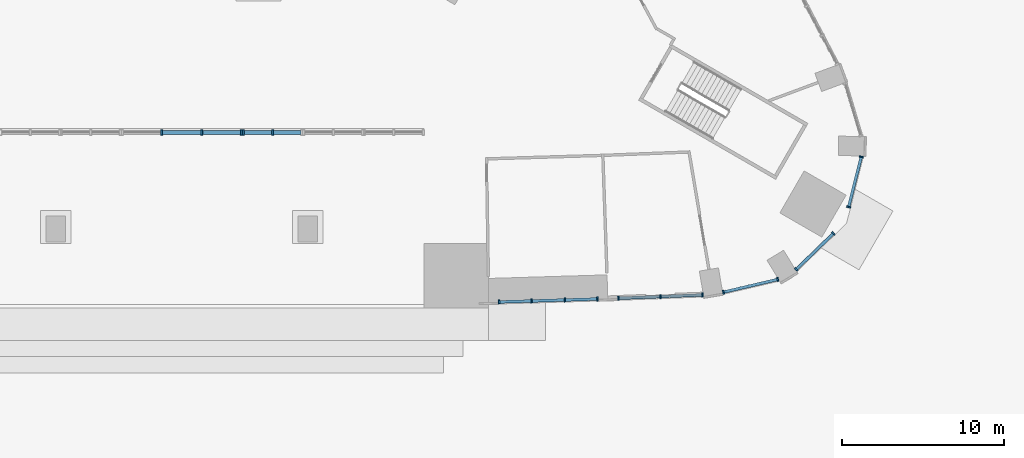
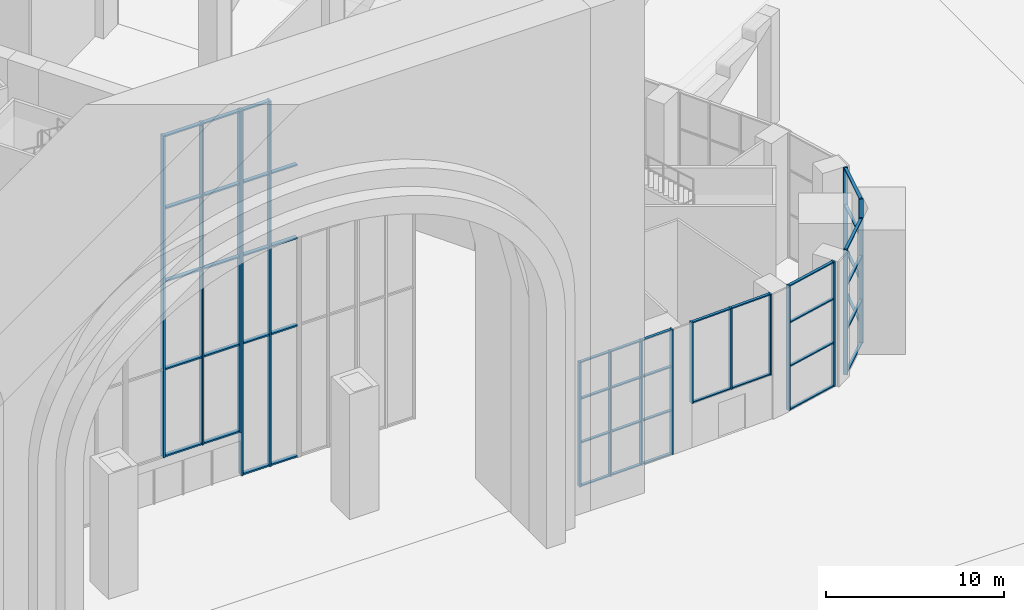
# One storey, part 5 of 36: 65 members, 7 elements without a shape of their own.
"""IFC4 building model written with IfcOpenShell, lengths in metres."""

from ifc_helpers import new_model, si_unit, direction, frame, origin, origin_2d, place, context, subcontext, project, spatial, rectangle, extrude, material, material_profile, profile_set, type_object, element, aggregate, save


model = new_model("IFC4")

# Units and contexts
model_context = context("Model", 3, precision=1e-05, world=origin(), true_north=direction((0.0, 1.0)))
body_context = subcontext(model_context, "Body", "Model", "MODEL_VIEW")
ifc_project = project(units=[si_unit("LENGTHUNIT", "METRE"), si_unit("AREAUNIT", "SQUARE_METRE"), si_unit("VOLUMEUNIT", "CUBIC_METRE"), si_unit("PLANEANGLEUNIT", "RADIAN"), si_unit("MASSUNIT", "GRAM", prefix="KILO")], contexts=[model_context])

# Site, building, storey
site_placement = place(None, origin())
site = spatial("IfcSite", under=ifc_project, at=site_placement, CompositionType="ELEMENT")
building_placement = place(site_placement, origin())
building = spatial("IfcBuilding", under=site, at=building_placement, Name="Entoto Arch Interchange Tower", CompositionType="ELEMENT")
storey_placement = place(building_placement, origin())
storey = spatial("IfcBuildingStorey", under=building, at=storey_placement, Name="L00", CompositionType="ELEMENT", Elevation=0.0)

# Curtain wall, members
ifc_material = material(Name="Aluminium, anodised", Category="aluminium")
curtain_wall_type_1 = type_object("IfcCurtainWallType", Name="CURTAIN WALL ARCH SCREEN", PredefinedType="NOTDEFINED", material=ifc_material)
curtain_wall_1_placement = place(storey_placement, origin())
curtain_wall_1 = element("IfcCurtainWall", 1, at=curtain_wall_1_placement, inside=storey, type_object=curtain_wall_type_1, Name="Arch screen glazing 6", PredefinedType="NOTDEFINED")
ifc_material_profile_1 = material_profile(ifc_material, rectangle(XDim=0.35009765625, YDim=0.1201171875, at=origin_2d()))
ifc_profile_set_1 = profile_set([ifc_material_profile_1], Name="Aluminium, anodised")
member_type_1 = type_object("IfcMemberType", Name="MULLION ARCH SCREEN 120x350", PredefinedType="MULLION", material=ifc_profile_set_1)
member_1_placement = place(storey_placement, frame((3.81005859375, -18.125, 0.0), z_axis=(0.0, 0.0, 1.0), x_axis=(0.0, 1.0, 0.0)))
member_1 = element("IfcMember", 2, at=member_1_placement, type_object=member_type_1, Name="CWR mullion 1", PredefinedType="MULLION", context=body_context, shape_type="SweptSolid", body=[
    extrude(rectangle(XDim=0.35009765625, YDim=0.1201171875, at=origin_2d()), origin(), (0.0, 0.0, 1.0), 25.0),
])
member_2_placement = place(storey_placement, frame((5.625, -18.125, 0.0), z_axis=(0.0, 0.0, 1.0), x_axis=(0.0, 1.0, 0.0)))
member_2 = element("IfcMember", 3, at=member_2_placement, type_object=member_type_1, Name="CWR mullion 2", PredefinedType="MULLION", context=body_context, shape_type="SweptSolid", body=[
    extrude(rectangle(XDim=0.35009765625, YDim=0.1201171875, at=origin_2d()), origin(), (0.0, 0.0, 1.0), 25.0),
])

curtain_wall_2_placement = place(storey_placement, origin())
curtain_wall_2 = element("IfcCurtainWall", 4, at=curtain_wall_2_placement, inside=storey, type_object=curtain_wall_type_1, Name="Arch entrance glazing", PredefinedType="NOTDEFINED")
member_3_placement = place(storey_placement, frame((-1.25, -18.125, 3.0), z_axis=(0.0, 0.0, 1.0), x_axis=(0.0, 1.0, 0.0)))
member_3 = element("IfcMember", 5, at=member_3_placement, type_object=member_type_1, Name="CWR mullion 2", PredefinedType="MULLION", context=body_context, shape_type="SweptSolid", body=[
    extrude(rectangle(XDim=0.35009765625, YDim=0.1201171875, at=origin_2d()), origin(), (0.0, 0.0, 1.0), 22.0),
])
member_4_placement = place(storey_placement, frame((1.25, -18.125, 3.0), z_axis=(0.0, 0.0, 1.0), x_axis=(0.0, 1.0, 0.0)))
member_4 = element("IfcMember", 6, at=member_4_placement, type_object=member_type_1, Name="CWR mullion 3", PredefinedType="MULLION", context=body_context, shape_type="SweptSolid", body=[
    extrude(rectangle(XDim=0.35009765625, YDim=0.1201171875, at=origin_2d()), origin(), (0.0, 0.0, 1.0), 22.0),
])
member_5_placement = place(storey_placement, frame((3.68994140625, -18.125, 3.0), z_axis=(0.0, 0.0, 1.0), x_axis=(0.0, 1.0, 0.0)))
member_5 = element("IfcMember", 7, at=member_5_placement, type_object=member_type_1, Name="CWR mullion 4", PredefinedType="MULLION", context=body_context, shape_type="SweptSolid", body=[
    extrude(rectangle(XDim=0.35009765625, YDim=0.1201171875, at=origin_2d()), origin(), (0.0, 0.0, 1.0), 22.0),
])

curtain_wall_type_2 = type_object("IfcCurtainWallType", Name="CURTAIN WALL GATE HALL", PredefinedType="NOTDEFINED", material=ifc_material)
curtain_wall_3_placement = place(storey_placement, origin())
curtain_wall_3 = element("IfcCurtainWall", 8, at=curtain_wall_3_placement, inside=storey, type_object=curtain_wall_type_2, Name="Gate Hall glazing S-04 L00", PredefinedType="NOTDEFINED")
ifc_material_profile_2 = material_profile(ifc_material, rectangle(XDim=0.25, YDim=0.10009765625, at=origin_2d()))
ifc_profile_set_2 = profile_set([ifc_material_profile_2], Name="Aluminium, anodised")
member_type_2 = type_object("IfcMemberType", Name="MULLION GATE HALL 100x250", PredefinedType="MULLION", material=ifc_profile_set_2)
member_6_placement = place(storey_placement, frame((19.64892578125, -28.617431640625, 0.0), z_axis=(0.0, 0.0, 1.0), x_axis=(-0.030117547985, 0.999546363759, 0.0)))
member_6 = element("IfcMember", 9, at=member_6_placement, type_object=member_type_2, Name="CWG mullion 1", PredefinedType="MULLION", context=body_context, shape_type="SweptSolid", body=[
    extrude(rectangle(XDim=0.25, YDim=0.10009765625, at=origin_2d()), origin(), (0.0, 0.0, 1.0), 8.550048828125),
])
member_7_placement = place(storey_placement, frame((21.65673828125, -28.556884765625, 0.0), z_axis=(0.0, 0.0, 1.0), x_axis=(-0.030117547985, 0.999546363759, 0.0)))
member_7 = element("IfcMember", 10, at=member_7_placement, type_object=member_type_2, Name="CWG mullion 2", PredefinedType="MULLION", context=body_context, shape_type="SweptSolid", body=[
    extrude(rectangle(XDim=0.25, YDim=0.10009765625, at=origin_2d()), origin(), (0.0, 0.0, 1.0), 8.550048828125),
])
member_8_placement = place(storey_placement, frame((23.71435546875, -28.4951171875, 0.0), z_axis=(0.0, 0.0, 1.0), x_axis=(-0.030117547985, 0.999546363759, 0.0)))
member_8 = element("IfcMember", 11, at=member_8_placement, type_object=member_type_2, Name="CWG mullion 3", PredefinedType="MULLION", context=body_context, shape_type="SweptSolid", body=[
    extrude(rectangle(XDim=0.25, YDim=0.10009765625, at=origin_2d()), origin(), (0.0, 0.0, 1.0), 8.550048828125),
])
member_9_placement = place(storey_placement, frame((25.721923828125, -28.4345703125, 0.0), z_axis=(0.0, 0.0, 1.0), x_axis=(-0.030117547985, 0.999546363759, 0.0)))
member_9 = element("IfcMember", 12, at=member_9_placement, type_object=member_type_2, Name="CWG mullion 4", PredefinedType="MULLION", context=body_context, shape_type="SweptSolid", body=[
    extrude(rectangle(XDim=0.25, YDim=0.10009765625, at=origin_2d()), origin(), (0.0, 0.0, 1.0), 8.550048828125),
])

curtain_wall_4_placement = place(storey_placement, origin())
curtain_wall_4 = element("IfcCurtainWall", 13, at=curtain_wall_4_placement, inside=storey, type_object=curtain_wall_type_2, Name="Gate Hall glazing S-05 L00", PredefinedType="NOTDEFINED")
member_10_placement = place(storey_placement, frame((27.02392578125, -28.38916015625, 3.0), z_axis=(0.0, 0.0, 1.0), x_axis=(-0.039141357085, 0.999233683462, 0.0)))
member_10 = element("IfcMember", 14, at=member_10_placement, type_object=member_type_2, Name="CWG mullion 1", PredefinedType="MULLION", context=body_context, shape_type="SweptSolid", body=[
    extrude(rectangle(XDim=0.25, YDim=0.10009765625, at=origin_2d()), origin(), (0.0, 0.0, 1.0), 5.550048828125),
])
member_11_placement = place(storey_placement, frame((29.62890625, -28.287109375, 3.0), z_axis=(0.0, 0.0, 1.0), x_axis=(-0.039141357085, 0.999233683462, 0.0)))
member_11 = element("IfcMember", 15, at=member_11_placement, type_object=member_type_2, Name="CWG mullion 2", PredefinedType="MULLION", context=body_context, shape_type="SweptSolid", body=[
    extrude(rectangle(XDim=0.25, YDim=0.10009765625, at=origin_2d()), origin(), (0.0, 0.0, 1.0), 5.550048828125),
])
member_12_placement = place(storey_placement, frame((32.234130859375, -28.18505859375, 3.0), z_axis=(0.0, 0.0, 1.0), x_axis=(-0.039141357085, 0.999233683462, 0.0)))
member_12 = element("IfcMember", 16, at=member_12_placement, type_object=member_type_2, Name="CWG mullion 3", PredefinedType="MULLION", context=body_context, shape_type="SweptSolid", body=[
    extrude(rectangle(XDim=0.25, YDim=0.10009765625, at=origin_2d()), origin(), (0.0, 0.0, 1.0), 5.550048828125),
])

curtain_wall_5_placement = place(storey_placement, origin())
curtain_wall_5 = element("IfcCurtainWall", 17, at=curtain_wall_5_placement, inside=storey, type_object=curtain_wall_type_2, Name="Gate Hall glazing SE-01 L00", PredefinedType="NOTDEFINED")
member_13_placement = place(storey_placement, frame((33.524658203125, -28.011474609375, 0.0), z_axis=(0.0, 0.0, 1.0), x_axis=(-0.228270531722, 0.973597742575, 0.0)))
member_13 = element("IfcMember", 18, at=member_13_placement, type_object=member_type_2, Name="CWG mullion 1", PredefinedType="MULLION", context=body_context, shape_type="SweptSolid", body=[
    extrude(rectangle(XDim=0.25, YDim=0.10009765625, at=origin_2d()), origin(), (0.0, 0.0, 1.0), 8.550048828125),
])
member_14_placement = place(storey_placement, frame((36.88623046875, -27.223388671875, 0.0), z_axis=(0.0, 0.0, 1.0), x_axis=(-0.228270531722, 0.973597742575, 0.0)))
member_14 = element("IfcMember", 19, at=member_14_placement, type_object=member_type_2, Name="CWG mullion 2", PredefinedType="MULLION", context=body_context, shape_type="SweptSolid", body=[
    extrude(rectangle(XDim=0.25, YDim=0.10009765625, at=origin_2d()), origin(), (0.0, 0.0, 1.0), 8.550048828125),
])

curtain_wall_6_placement = place(storey_placement, origin())
curtain_wall_6 = element("IfcCurtainWall", 20, at=curtain_wall_6_placement, inside=storey, type_object=curtain_wall_type_2, Name="Gate Hall glazing SE-02 L00", PredefinedType="NOTDEFINED")
member_15_placement = place(storey_placement, frame((38.03076171875, -26.606201171875, 0.0), z_axis=(0.0, 0.0, 1.0), x_axis=(-0.696424910406, 0.717629670628, 0.0)))
member_15 = element("IfcMember", 21, at=member_15_placement, type_object=member_type_2, Name="CWG mullion 1", PredefinedType="MULLION", context=body_context, shape_type="SweptSolid", body=[
    extrude(rectangle(XDim=0.25, YDim=0.10009765625, at=origin_2d()), origin(), (0.0, 0.0, 1.0), 8.550048828125),
])
member_16_placement = place(storey_placement, frame((40.328125, -24.376708984375, 0.0), z_axis=(0.0, 0.0, 1.0), x_axis=(-0.696424910406, 0.717629670628, 0.0)))
member_16 = element("IfcMember", 22, at=member_16_placement, type_object=member_type_2, Name="CWG mullion 2", PredefinedType="MULLION", context=body_context, shape_type="SweptSolid", body=[
    extrude(rectangle(XDim=0.25, YDim=0.10009765625, at=origin_2d()), origin(), (0.0, 0.0, 1.0), 8.550048828125),
])

curtain_wall_7_placement = place(storey_placement, origin())
curtain_wall_7 = element("IfcCurtainWall", 23, at=curtain_wall_7_placement, inside=storey, type_object=curtain_wall_type_2, Name="Gate Hall glazing SE-03 L00", PredefinedType="NOTDEFINED")
member_17_placement = place(storey_placement, frame((41.275146484375, -22.736572265625, 0.0), z_axis=(0.0, 0.0, 1.0), x_axis=(-0.969731246263, 0.244174753037, 0.0)))
member_17 = element("IfcMember", 24, at=member_17_placement, type_object=member_type_2, Name="CWG mullion 1", PredefinedType="MULLION", context=body_context, shape_type="SweptSolid", body=[
    extrude(rectangle(XDim=0.25, YDim=0.10009765625, at=origin_2d()), origin(), (0.0, 0.0, 1.0), 8.550048828125),
])
member_18_placement = place(storey_placement, frame((42.056884765625, -19.632568359375, 0.0), z_axis=(0.0, 0.0, 1.0), x_axis=(-0.969731246263, 0.244174753037, 0.0)))
member_18 = element("IfcMember", 25, at=member_18_placement, type_object=member_type_2, Name="CWG mullion 2", PredefinedType="MULLION", context=body_context, shape_type="SweptSolid", body=[
    extrude(rectangle(XDim=0.25, YDim=0.10009765625, at=origin_2d()), origin(), (0.0, 0.0, 1.0), 8.550048828125),
])

# Member
ifc_material_profile_3 = material_profile(ifc_material, rectangle(XDim=0.25, YDim=0.10009765625, at=origin_2d()))
ifc_profile_set_3 = profile_set([ifc_material_profile_3], Name="Aluminium, anodised")
member_type_3 = type_object("IfcMemberType", Name="TRANSOM ARCH SCREEN 100x250", PredefinedType="USERDEFINED", material=ifc_profile_set_3)
member_19_placement = place(storey_placement, frame((3.8701171875, -18.125, 0.050048828125), z_axis=(1.0, 0.0, 0.0), x_axis=(0.0, 1.0, 0.0)))
member_19 = element("IfcMember", 26, at=member_19_placement, type_object=member_type_3, Name="CWR transom 1.1", ObjectType="TRANSOM", PredefinedType="USERDEFINED", context=body_context, shape_type="SweptSolid", body=[
    extrude(rectangle(XDim=0.25, YDim=0.10009765625, at=origin_2d()), origin(), (0.0, 0.0, 1.0), 1.69482421875),
])

member_20_placement = place(storey_placement, frame((3.8701171875, -18.125, 9.0), z_axis=(1.0, 0.0, 0.0), x_axis=(0.0, 1.0, 0.0)))
member_20 = element("IfcMember", 27, at=member_20_placement, type_object=member_type_3, Name="CWR transom 1.2", ObjectType="TRANSOM", PredefinedType="USERDEFINED", context=body_context, shape_type="SweptSolid", body=[
    extrude(rectangle(XDim=0.25, YDim=0.10009765625, at=origin_2d()), origin(), (0.0, 0.0, 1.0), 1.69482421875),
])

member_21_placement = place(storey_placement, frame((3.8701171875, -18.125, 15.0), z_axis=(1.0, 0.0, 0.0), x_axis=(0.0, 1.0, 0.0)))
member_21 = element("IfcMember", 28, at=member_21_placement, type_object=member_type_3, Name="CWR transom 1.3", ObjectType="TRANSOM", PredefinedType="USERDEFINED", context=body_context, shape_type="SweptSolid", body=[
    extrude(rectangle(XDim=0.25, YDim=0.10009765625, at=origin_2d()), origin(), (0.0, 0.0, 1.0), 1.69482421875),
])

member_22_placement = place(storey_placement, frame((3.8701171875, -18.125, 20.0), z_axis=(1.0, 0.0, 0.0), x_axis=(0.0, 1.0, 0.0)))
member_22 = element("IfcMember", 29, at=member_22_placement, type_object=member_type_3, Name="CWR transom 1.4", ObjectType="TRANSOM", PredefinedType="USERDEFINED", context=body_context, shape_type="SweptSolid", body=[
    extrude(rectangle(XDim=0.25, YDim=0.10009765625, at=origin_2d()), origin(), (0.0, 0.0, 1.0), 1.69482421875),
])

member_23_placement = place(storey_placement, frame((3.8701171875, -18.125, 24.949951171875), z_axis=(1.0, 0.0, 0.0), x_axis=(0.0, 1.0, 0.0)))
member_23 = element("IfcMember", 30, at=member_23_placement, type_object=member_type_3, Name="CWR transom 1.5", ObjectType="TRANSOM", PredefinedType="USERDEFINED", context=body_context, shape_type="SweptSolid", body=[
    extrude(rectangle(XDim=0.25, YDim=0.10009765625, at=origin_2d()), origin(), (0.0, 0.0, 1.0), 1.69482421875),
])

member_24_placement = place(storey_placement, frame((5.68505859375, -18.125, 0.050048828125), z_axis=(1.0, 0.0, 0.0), x_axis=(0.0, 1.0, 0.0)))
member_24 = element("IfcMember", 31, at=member_24_placement, type_object=member_type_3, Name="CWR transom 2.1", ObjectType="TRANSOM", PredefinedType="USERDEFINED", context=body_context, shape_type="SweptSolid", body=[
    extrude(rectangle(XDim=0.25, YDim=0.10009765625, at=origin_2d()), origin(), (0.0, 0.0, 1.0), 1.69482421875),
])

member_25_placement = place(storey_placement, frame((5.68505859375, -18.125, 9.0), z_axis=(1.0, 0.0, 0.0), x_axis=(0.0, 1.0, 0.0)))
member_25 = element("IfcMember", 32, at=member_25_placement, type_object=member_type_3, Name="CWR transom 2.2", ObjectType="TRANSOM", PredefinedType="USERDEFINED", context=body_context, shape_type="SweptSolid", body=[
    extrude(rectangle(XDim=0.25, YDim=0.10009765625, at=origin_2d()), origin(), (0.0, 0.0, 1.0), 1.69482421875),
])

member_26_placement = place(storey_placement, frame((5.68505859375, -18.125, 15.0), z_axis=(1.0, 0.0, 0.0), x_axis=(0.0, 1.0, 0.0)))
member_26 = element("IfcMember", 33, at=member_26_placement, type_object=member_type_3, Name="CWR transom 2.3", ObjectType="TRANSOM", PredefinedType="USERDEFINED", context=body_context, shape_type="SweptSolid", body=[
    extrude(rectangle(XDim=0.25, YDim=0.10009765625, at=origin_2d()), origin(), (0.0, 0.0, 1.0), 1.69482421875),
])

member_27_placement = place(storey_placement, frame((5.68505859375, -18.125, 20.0), z_axis=(1.0, 0.0, 0.0), x_axis=(0.0, 1.0, 0.0)))
member_27 = element("IfcMember", 34, at=member_27_placement, type_object=member_type_3, Name="CWR transom 2.4", ObjectType="TRANSOM", PredefinedType="USERDEFINED", context=body_context, shape_type="SweptSolid", body=[
    extrude(rectangle(XDim=0.25, YDim=0.10009765625, at=origin_2d()), origin(), (0.0, 0.0, 1.0), 1.69482421875),
])

aggregate(curtain_wall_1, [member_1, member_2, member_19, member_20, member_21, member_22, member_23, member_24, member_25, member_26, member_27])

member_28_placement = place(storey_placement, frame((-1.18994140625, -18.125, 3.050048828125), z_axis=(1.0, 0.0, 0.0), x_axis=(0.0, 1.0, 0.0)))
member_28 = element("IfcMember", 35, at=member_28_placement, type_object=member_type_3, Name="CWR transom 2.1", ObjectType="TRANSOM", PredefinedType="USERDEFINED", context=body_context, shape_type="SweptSolid", body=[
    extrude(rectangle(XDim=0.25, YDim=0.10009765625, at=origin_2d()), origin(), (0.0, 0.0, 1.0), 2.3798828125),
])

member_29_placement = place(storey_placement, frame((-1.18994140625, -18.125, 9.0), z_axis=(1.0, 0.0, 0.0), x_axis=(0.0, 1.0, 0.0)))
member_29 = element("IfcMember", 36, at=member_29_placement, type_object=member_type_3, Name="CWR transom 2.2", ObjectType="TRANSOM", PredefinedType="USERDEFINED", context=body_context, shape_type="SweptSolid", body=[
    extrude(rectangle(XDim=0.25, YDim=0.10009765625, at=origin_2d()), origin(), (0.0, 0.0, 1.0), 2.3798828125),
])

member_30_placement = place(storey_placement, frame((-1.18994140625, -18.125, 15.0), z_axis=(1.0, 0.0, 0.0), x_axis=(0.0, 1.0, 0.0)))
member_30 = element("IfcMember", 37, at=member_30_placement, type_object=member_type_3, Name="CWR transom 2.3", ObjectType="TRANSOM", PredefinedType="USERDEFINED", context=body_context, shape_type="SweptSolid", body=[
    extrude(rectangle(XDim=0.25, YDim=0.10009765625, at=origin_2d()), origin(), (0.0, 0.0, 1.0), 2.3798828125),
])

member_31_placement = place(storey_placement, frame((-1.18994140625, -18.125, 20.0), z_axis=(1.0, 0.0, 0.0), x_axis=(0.0, 1.0, 0.0)))
member_31 = element("IfcMember", 38, at=member_31_placement, type_object=member_type_3, Name="CWR transom 2.4", ObjectType="TRANSOM", PredefinedType="USERDEFINED", context=body_context, shape_type="SweptSolid", body=[
    extrude(rectangle(XDim=0.25, YDim=0.10009765625, at=origin_2d()), origin(), (0.0, 0.0, 1.0), 2.3798828125),
])

member_32_placement = place(storey_placement, frame((-1.18994140625, -18.125, 24.949951171875), z_axis=(1.0, 0.0, 0.0), x_axis=(0.0, 1.0, 0.0)))
member_32 = element("IfcMember", 39, at=member_32_placement, type_object=member_type_3, Name="CWR transom 2.5", ObjectType="TRANSOM", PredefinedType="USERDEFINED", context=body_context, shape_type="SweptSolid", body=[
    extrude(rectangle(XDim=0.25, YDim=0.10009765625, at=origin_2d()), origin(), (0.0, 0.0, 1.0), 2.3798828125),
])

member_33_placement = place(storey_placement, frame((1.31005859375, -18.125, 3.050048828125), z_axis=(1.0, 0.0, 0.0), x_axis=(0.0, 1.0, 0.0)))
member_33 = element("IfcMember", 40, at=member_33_placement, type_object=member_type_3, Name="CWR transom 3.1", ObjectType="TRANSOM", PredefinedType="USERDEFINED", context=body_context, shape_type="SweptSolid", body=[
    extrude(rectangle(XDim=0.25, YDim=0.10009765625, at=origin_2d()), origin(), (0.0, 0.0, 1.0), 2.31982421875),
])

member_34_placement = place(storey_placement, frame((1.31005859375, -18.125, 9.0), z_axis=(1.0, 0.0, 0.0), x_axis=(0.0, 1.0, 0.0)))
member_34 = element("IfcMember", 41, at=member_34_placement, type_object=member_type_3, Name="CWR transom 3.2", ObjectType="TRANSOM", PredefinedType="USERDEFINED", context=body_context, shape_type="SweptSolid", body=[
    extrude(rectangle(XDim=0.25, YDim=0.10009765625, at=origin_2d()), origin(), (0.0, 0.0, 1.0), 2.31982421875),
])

member_35_placement = place(storey_placement, frame((1.31005859375, -18.125, 15.0), z_axis=(1.0, 0.0, 0.0), x_axis=(0.0, 1.0, 0.0)))
member_35 = element("IfcMember", 42, at=member_35_placement, type_object=member_type_3, Name="CWR transom 3.3", ObjectType="TRANSOM", PredefinedType="USERDEFINED", context=body_context, shape_type="SweptSolid", body=[
    extrude(rectangle(XDim=0.25, YDim=0.10009765625, at=origin_2d()), origin(), (0.0, 0.0, 1.0), 2.31982421875),
])

member_36_placement = place(storey_placement, frame((1.31005859375, -18.125, 20.0), z_axis=(1.0, 0.0, 0.0), x_axis=(0.0, 1.0, 0.0)))
member_36 = element("IfcMember", 43, at=member_36_placement, type_object=member_type_3, Name="CWR transom 3.4", ObjectType="TRANSOM", PredefinedType="USERDEFINED", context=body_context, shape_type="SweptSolid", body=[
    extrude(rectangle(XDim=0.25, YDim=0.10009765625, at=origin_2d()), origin(), (0.0, 0.0, 1.0), 2.31982421875),
])

member_37_placement = place(storey_placement, frame((1.31005859375, -18.125, 24.949951171875), z_axis=(1.0, 0.0, 0.0), x_axis=(0.0, 1.0, 0.0)))
member_37 = element("IfcMember", 44, at=member_37_placement, type_object=member_type_3, Name="CWR transom 3.5", ObjectType="TRANSOM", PredefinedType="USERDEFINED", context=body_context, shape_type="SweptSolid", body=[
    extrude(rectangle(XDim=0.25, YDim=0.10009765625, at=origin_2d()), origin(), (0.0, 0.0, 1.0), 2.31982421875),
])

aggregate(curtain_wall_2, [member_3, member_4, member_5, member_28, member_29, member_30, member_31, member_32, member_33, member_34, member_35, member_36, member_37])

ifc_material_profile_4 = material_profile(ifc_material, rectangle(XDim=0.179931640625, YDim=0.080078125, at=origin_2d()))
ifc_profile_set_4 = profile_set([ifc_material_profile_4], Name="Aluminium, anodised")
member_type_4 = type_object("IfcMemberType", Name="TRANSOM GATE HALL 80x180", PredefinedType="USERDEFINED", material=ifc_profile_set_4)
member_38_placement = place(storey_placement, frame((19.698974609375, -28.615966796875, 0.0400390625), z_axis=(0.999548077009, 0.030060634515, 0.0), x_axis=(-0.030060634515, 0.999548077009, 0.0)))
member_38 = element("IfcMember", 45, at=member_38_placement, type_object=member_type_4, Name="CWG transom 1.1", ObjectType="TRANSOM", PredefinedType="USERDEFINED", context=body_context, shape_type="SweptSolid", body=[
    extrude(rectangle(XDim=0.179931640625, YDim=0.080078125, at=origin_2d()), origin(), (0.0, 0.0, 1.0), 1.90869140625),
])

member_39_placement = place(storey_placement, frame((19.698974609375, -28.615966796875, 3.0), z_axis=(0.999548077009, 0.030060634515, 0.0), x_axis=(-0.030060634515, 0.999548077009, 0.0)))
member_39 = element("IfcMember", 46, at=member_39_placement, type_object=member_type_4, Name="CWG transom 1.2", ObjectType="TRANSOM", PredefinedType="USERDEFINED", context=body_context, shape_type="SweptSolid", body=[
    extrude(rectangle(XDim=0.179931640625, YDim=0.080078125, at=origin_2d()), origin(), (0.0, 0.0, 1.0), 1.90869140625),
])

member_40_placement = place(storey_placement, frame((19.698974609375, -28.615966796875, 6.0), z_axis=(0.999548077009, 0.030060634515, 0.0), x_axis=(-0.030060634515, 0.999548077009, 0.0)))
member_40 = element("IfcMember", 47, at=member_40_placement, type_object=member_type_4, Name="CWG transom 1.3", ObjectType="TRANSOM", PredefinedType="USERDEFINED", context=body_context, shape_type="SweptSolid", body=[
    extrude(rectangle(XDim=0.179931640625, YDim=0.080078125, at=origin_2d()), origin(), (0.0, 0.0, 1.0), 1.90869140625),
])

member_41_placement = place(storey_placement, frame((19.698974609375, -28.615966796875, 8.510009765625), z_axis=(0.999548077009, 0.030060634515, 0.0), x_axis=(-0.030060634515, 0.999548077009, 0.0)))
member_41 = element("IfcMember", 48, at=member_41_placement, type_object=member_type_4, Name="CWG transom 1.4", ObjectType="TRANSOM", PredefinedType="USERDEFINED", context=body_context, shape_type="SweptSolid", body=[
    extrude(rectangle(XDim=0.179931640625, YDim=0.080078125, at=origin_2d()), origin(), (0.0, 0.0, 1.0), 1.90869140625),
])

member_42_placement = place(storey_placement, frame((21.70654296875, -28.555419921875, 0.0400390625), z_axis=(0.99954869558, 0.030040059313, 0.0), x_axis=(-0.030040059313, 0.99954869558, 0.0)))
member_42 = element("IfcMember", 49, at=member_42_placement, type_object=member_type_4, Name="CWG transom 2.1", ObjectType="TRANSOM", PredefinedType="USERDEFINED", context=body_context, shape_type="SweptSolid", body=[
    extrude(rectangle(XDim=0.179931640625, YDim=0.080078125, at=origin_2d()), origin(), (0.0, 0.0, 1.0), 1.958740234375),
])

member_43_placement = place(storey_placement, frame((21.70654296875, -28.555419921875, 3.0), z_axis=(0.99954869558, 0.030040059313, 0.0), x_axis=(-0.030040059313, 0.99954869558, 0.0)))
member_43 = element("IfcMember", 50, at=member_43_placement, type_object=member_type_4, Name="CWG transom 2.2", ObjectType="TRANSOM", PredefinedType="USERDEFINED", context=body_context, shape_type="SweptSolid", body=[
    extrude(rectangle(XDim=0.179931640625, YDim=0.080078125, at=origin_2d()), origin(), (0.0, 0.0, 1.0), 1.958740234375),
])

member_44_placement = place(storey_placement, frame((21.70654296875, -28.555419921875, 6.0), z_axis=(0.99954869558, 0.030040059313, 0.0), x_axis=(-0.030040059313, 0.99954869558, 0.0)))
member_44 = element("IfcMember", 51, at=member_44_placement, type_object=member_type_4, Name="CWG transom 2.3", ObjectType="TRANSOM", PredefinedType="USERDEFINED", context=body_context, shape_type="SweptSolid", body=[
    extrude(rectangle(XDim=0.179931640625, YDim=0.080078125, at=origin_2d()), origin(), (0.0, 0.0, 1.0), 1.958740234375),
])

member_45_placement = place(storey_placement, frame((21.70654296875, -28.555419921875, 8.510009765625), z_axis=(0.99954869558, 0.030040059313, 0.0), x_axis=(-0.030040059313, 0.99954869558, 0.0)))
member_45 = element("IfcMember", 52, at=member_45_placement, type_object=member_type_4, Name="CWG transom 2.4", ObjectType="TRANSOM", PredefinedType="USERDEFINED", context=body_context, shape_type="SweptSolid", body=[
    extrude(rectangle(XDim=0.179931640625, YDim=0.080078125, at=origin_2d()), origin(), (0.0, 0.0, 1.0), 1.958740234375),
])

member_46_placement = place(storey_placement, frame((23.764404296875, -28.493408203125, 0.0400390625), z_axis=(0.999548077009, 0.030060634515, 0.0), x_axis=(-0.030060634515, 0.999548077009, 0.0)))
member_46 = element("IfcMember", 53, at=member_46_placement, type_object=member_type_4, Name="CWG transom 3.1", ObjectType="TRANSOM", PredefinedType="USERDEFINED", context=body_context, shape_type="SweptSolid", body=[
    extrude(rectangle(XDim=0.179931640625, YDim=0.080078125, at=origin_2d()), origin(), (0.0, 0.0, 1.0), 1.90869140625),
])

member_47_placement = place(storey_placement, frame((23.764404296875, -28.493408203125, 3.0), z_axis=(0.999548077009, 0.030060634515, 0.0), x_axis=(-0.030060634515, 0.999548077009, 0.0)))
member_47 = element("IfcMember", 54, at=member_47_placement, type_object=member_type_4, Name="CWG transom 3.2", ObjectType="TRANSOM", PredefinedType="USERDEFINED", context=body_context, shape_type="SweptSolid", body=[
    extrude(rectangle(XDim=0.179931640625, YDim=0.080078125, at=origin_2d()), origin(), (0.0, 0.0, 1.0), 1.90869140625),
])

member_48_placement = place(storey_placement, frame((23.764404296875, -28.493408203125, 6.0), z_axis=(0.999548077009, 0.030060634515, 0.0), x_axis=(-0.030060634515, 0.999548077009, 0.0)))
member_48 = element("IfcMember", 55, at=member_48_placement, type_object=member_type_4, Name="CWG transom 3.3", ObjectType="TRANSOM", PredefinedType="USERDEFINED", context=body_context, shape_type="SweptSolid", body=[
    extrude(rectangle(XDim=0.179931640625, YDim=0.080078125, at=origin_2d()), origin(), (0.0, 0.0, 1.0), 1.90869140625),
])

member_49_placement = place(storey_placement, frame((23.764404296875, -28.493408203125, 8.510009765625), z_axis=(0.999548077009, 0.030060634515, 0.0), x_axis=(-0.030060634515, 0.999548077009, 0.0)))
member_49 = element("IfcMember", 56, at=member_49_placement, type_object=member_type_4, Name="CWG transom 3.4", ObjectType="TRANSOM", PredefinedType="USERDEFINED", context=body_context, shape_type="SweptSolid", body=[
    extrude(rectangle(XDim=0.179931640625, YDim=0.080078125, at=origin_2d()), origin(), (0.0, 0.0, 1.0), 1.90869140625),
])

aggregate(curtain_wall_3, [member_6, member_7, member_8, member_9, member_38, member_39, member_40, member_41, member_42, member_43, member_44, member_45, member_46, member_47, member_48, member_49])

member_50_placement = place(storey_placement, frame((27.073974609375, -28.38720703125, 3.0400390625), z_axis=(0.999233445308, 0.039147436411, 0.0), x_axis=(-0.039147436411, 0.999233445308, 0.0)))
member_50 = element("IfcMember", 57, at=member_50_placement, type_object=member_type_4, Name="CWG transom 1.1", ObjectType="TRANSOM", PredefinedType="USERDEFINED", context=body_context, shape_type="SweptSolid", body=[
    extrude(rectangle(XDim=0.179931640625, YDim=0.080078125, at=origin_2d()), origin(), (0.0, 0.0, 1.0), 2.507080078125),
])

member_51_placement = place(storey_placement, frame((27.073974609375, -28.38720703125, 8.510009765625), z_axis=(0.999233445308, 0.039147436411, 0.0), x_axis=(-0.039147436411, 0.999233445308, 0.0)))
member_51 = element("IfcMember", 58, at=member_51_placement, type_object=member_type_4, Name="CWG transom 1.2", ObjectType="TRANSOM", PredefinedType="USERDEFINED", context=body_context, shape_type="SweptSolid", body=[
    extrude(rectangle(XDim=0.179931640625, YDim=0.080078125, at=origin_2d()), origin(), (0.0, 0.0, 1.0), 2.507080078125),
])

member_52_placement = place(storey_placement, frame((29.678955078125, -28.28515625, 3.0400390625), z_axis=(0.999233445308, 0.039147436411, 0.0), x_axis=(-0.039147436411, 0.999233445308, 0.0)))
member_52 = element("IfcMember", 59, at=member_52_placement, type_object=member_type_4, Name="CWG transom 2.1", ObjectType="TRANSOM", PredefinedType="USERDEFINED", context=body_context, shape_type="SweptSolid", body=[
    extrude(rectangle(XDim=0.179931640625, YDim=0.080078125, at=origin_2d()), origin(), (0.0, 0.0, 1.0), 2.507080078125),
])

member_53_placement = place(storey_placement, frame((29.678955078125, -28.28515625, 8.510009765625), z_axis=(0.999233445308, 0.039147436411, 0.0), x_axis=(-0.039147436411, 0.999233445308, 0.0)))
member_53 = element("IfcMember", 60, at=member_53_placement, type_object=member_type_4, Name="CWG transom 2.2", ObjectType="TRANSOM", PredefinedType="USERDEFINED", context=body_context, shape_type="SweptSolid", body=[
    extrude(rectangle(XDim=0.179931640625, YDim=0.080078125, at=origin_2d()), origin(), (0.0, 0.0, 1.0), 2.507080078125),
])

aggregate(curtain_wall_4, [member_10, member_11, member_12, member_50, member_51, member_52, member_53])

member_54_placement = place(storey_placement, frame((33.5732421875, -28.000244140625, 0.0400390625), z_axis=(0.973597349591, 0.228272207835, 0.0), x_axis=(-0.228272207835, 0.973597349591, 0.0)))
member_54 = element("IfcMember", 61, at=member_54_placement, type_object=member_type_4, Name="CWG transom 1.1", ObjectType="TRANSOM", PredefinedType="USERDEFINED", context=body_context, shape_type="SweptSolid", body=[
    extrude(rectangle(XDim=0.179931640625, YDim=0.080078125, at=origin_2d()), origin(), (0.0, 0.0, 1.0), 3.35302734375),
])

member_55_placement = place(storey_placement, frame((33.5732421875, -28.000244140625, 3.0), z_axis=(0.973597349591, 0.228272207835, 0.0), x_axis=(-0.228272207835, 0.973597349591, 0.0)))
member_55 = element("IfcMember", 62, at=member_55_placement, type_object=member_type_4, Name="CWG transom 1.2", ObjectType="TRANSOM", PredefinedType="USERDEFINED", context=body_context, shape_type="SweptSolid", body=[
    extrude(rectangle(XDim=0.179931640625, YDim=0.080078125, at=origin_2d()), origin(), (0.0, 0.0, 1.0), 3.35302734375),
])

member_56_placement = place(storey_placement, frame((33.5732421875, -28.000244140625, 6.0), z_axis=(0.973597349591, 0.228272207835, 0.0), x_axis=(-0.228272207835, 0.973597349591, 0.0)))
member_56 = element("IfcMember", 63, at=member_56_placement, type_object=member_type_4, Name="CWG transom 1.3", ObjectType="TRANSOM", PredefinedType="USERDEFINED", context=body_context, shape_type="SweptSolid", body=[
    extrude(rectangle(XDim=0.179931640625, YDim=0.080078125, at=origin_2d()), origin(), (0.0, 0.0, 1.0), 3.35302734375),
])

member_57_placement = place(storey_placement, frame((33.5732421875, -28.000244140625, 8.510009765625), z_axis=(0.973597349591, 0.228272207835, 0.0), x_axis=(-0.228272207835, 0.973597349591, 0.0)))
member_57 = element("IfcMember", 64, at=member_57_placement, type_object=member_type_4, Name="CWG transom 1.4", ObjectType="TRANSOM", PredefinedType="USERDEFINED", context=body_context, shape_type="SweptSolid", body=[
    extrude(rectangle(XDim=0.179931640625, YDim=0.080078125, at=origin_2d()), origin(), (0.0, 0.0, 1.0), 3.35302734375),
])

aggregate(curtain_wall_5, [member_13, member_14, member_54, member_55, member_56, member_57])

member_58_placement = place(storey_placement, frame((38.066650390625, -26.5712890625, 0.0400390625), z_axis=(0.717654748442, 0.696399068091, 0.0), x_axis=(-0.696399068091, 0.717654748442, 0.0)))
member_58 = element("IfcMember", 65, at=member_58_placement, type_object=member_type_4, Name="CWG transom 1.1", ObjectType="TRANSOM", PredefinedType="USERDEFINED", context=body_context, shape_type="SweptSolid", body=[
    extrude(rectangle(XDim=0.179931640625, YDim=0.080078125, at=origin_2d()), origin(), (0.0, 0.0, 1.0), 3.10107421875),
])

member_59_placement = place(storey_placement, frame((38.066650390625, -26.5712890625, 3.0), z_axis=(0.717654748442, 0.696399068091, 0.0), x_axis=(-0.696399068091, 0.717654748442, 0.0)))
member_59 = element("IfcMember", 66, at=member_59_placement, type_object=member_type_4, Name="CWG transom 1.2", ObjectType="TRANSOM", PredefinedType="USERDEFINED", context=body_context, shape_type="SweptSolid", body=[
    extrude(rectangle(XDim=0.179931640625, YDim=0.080078125, at=origin_2d()), origin(), (0.0, 0.0, 1.0), 3.10107421875),
])

member_60_placement = place(storey_placement, frame((38.066650390625, -26.5712890625, 6.0), z_axis=(0.717654748442, 0.696399068091, 0.0), x_axis=(-0.696399068091, 0.717654748442, 0.0)))
member_60 = element("IfcMember", 67, at=member_60_placement, type_object=member_type_4, Name="CWG transom 1.3", ObjectType="TRANSOM", PredefinedType="USERDEFINED", context=body_context, shape_type="SweptSolid", body=[
    extrude(rectangle(XDim=0.179931640625, YDim=0.080078125, at=origin_2d()), origin(), (0.0, 0.0, 1.0), 3.10107421875),
])

member_61_placement = place(storey_placement, frame((38.066650390625, -26.5712890625, 8.510009765625), z_axis=(0.717654748442, 0.696399068091, 0.0), x_axis=(-0.696399068091, 0.717654748442, 0.0)))
member_61 = element("IfcMember", 68, at=member_61_placement, type_object=member_type_4, Name="CWG transom 1.4", ObjectType="TRANSOM", PredefinedType="USERDEFINED", context=body_context, shape_type="SweptSolid", body=[
    extrude(rectangle(XDim=0.179931640625, YDim=0.080078125, at=origin_2d()), origin(), (0.0, 0.0, 1.0), 3.10107421875),
])

aggregate(curtain_wall_6, [member_15, member_16, member_58, member_59, member_60, member_61])

member_62_placement = place(storey_placement, frame((41.287353515625, -22.68798828125, 0.0400390625), z_axis=(0.244221010922, 0.969719597525, 0.0), x_axis=(-0.969719597525, 0.244221010922, 0.0)))
member_62 = element("IfcMember", 69, at=member_62_placement, type_object=member_type_4, Name="CWG transom 1.1", ObjectType="TRANSOM", PredefinedType="USERDEFINED", context=body_context, shape_type="SweptSolid", body=[
    extrude(rectangle(XDim=0.179931640625, YDim=0.080078125, at=origin_2d()), origin(), (0.0, 0.0, 1.0), 3.10107421875),
])

member_63_placement = place(storey_placement, frame((41.287353515625, -22.68798828125, 3.0), z_axis=(0.244221010922, 0.969719597525, 0.0), x_axis=(-0.969719597525, 0.244221010922, 0.0)))
member_63 = element("IfcMember", 70, at=member_63_placement, type_object=member_type_4, Name="CWG transom 1.2", ObjectType="TRANSOM", PredefinedType="USERDEFINED", context=body_context, shape_type="SweptSolid", body=[
    extrude(rectangle(XDim=0.179931640625, YDim=0.080078125, at=origin_2d()), origin(), (0.0, 0.0, 1.0), 3.10107421875),
])

member_64_placement = place(storey_placement, frame((41.287353515625, -22.68798828125, 6.0), z_axis=(0.244221010922, 0.969719597525, 0.0), x_axis=(-0.969719597525, 0.244221010922, 0.0)))
member_64 = element("IfcMember", 71, at=member_64_placement, type_object=member_type_4, Name="CWG transom 1.3", ObjectType="TRANSOM", PredefinedType="USERDEFINED", context=body_context, shape_type="SweptSolid", body=[
    extrude(rectangle(XDim=0.179931640625, YDim=0.080078125, at=origin_2d()), origin(), (0.0, 0.0, 1.0), 3.10107421875),
])

member_65_placement = place(storey_placement, frame((41.287353515625, -22.68798828125, 8.510009765625), z_axis=(0.244221010922, 0.969719597525, 0.0), x_axis=(-0.969719597525, 0.244221010922, 0.0)))
member_65 = element("IfcMember", 72, at=member_65_placement, type_object=member_type_4, Name="CWG transom 1.4", ObjectType="TRANSOM", PredefinedType="USERDEFINED", context=body_context, shape_type="SweptSolid", body=[
    extrude(rectangle(XDim=0.179931640625, YDim=0.080078125, at=origin_2d()), origin(), (0.0, 0.0, 1.0), 3.10107421875),
])

aggregate(curtain_wall_7, [member_17, member_18, member_62, member_63, member_64, member_65])

save(model, "model.ifc")
